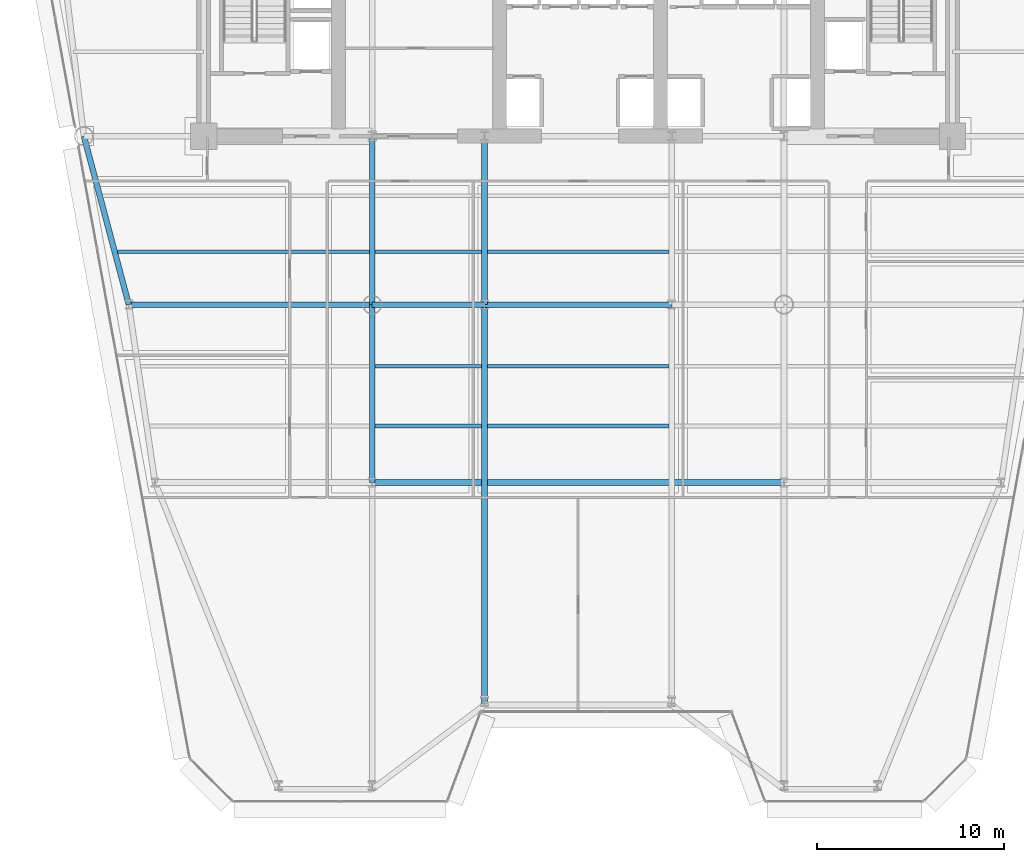
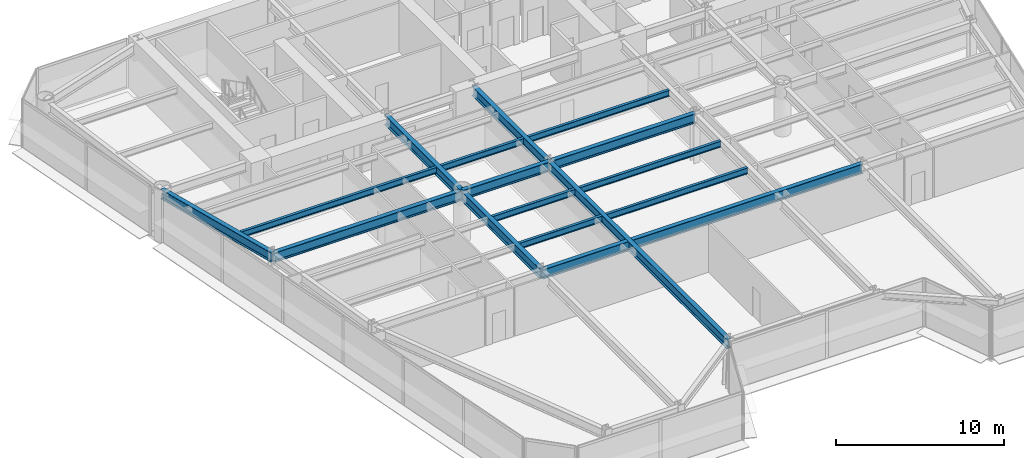
# One storey, part 3 of 14: 16 beams.
"""IFC4 building model written with IfcOpenShell, lengths in metres."""

from ifc_helpers import new_model, si_unit, direction, frame, origin, origin_2d, place, context, subcontext, project, spatial, i_section, extrude, source, transform, mapped, material, material_profile, profile_set, type_object, element, save


model = new_model("IFC4")

# Units and contexts
model_context = context("Model", 3, precision=1e-05, world=origin(), true_north=direction((0.0, 1.0)))
body_context = subcontext(model_context, "Body", "Model", "MODEL_VIEW")
ifc_project = project(units=[si_unit("LENGTHUNIT", "METRE"), si_unit("AREAUNIT", "SQUARE_METRE"), si_unit("VOLUMEUNIT", "CUBIC_METRE"), si_unit("PLANEANGLEUNIT", "RADIAN"), si_unit("MASSUNIT", "GRAM", prefix="KILO")], contexts=[model_context])

# Site, building, storey
site_placement = place(None, origin())
site = spatial("IfcSite", under=ifc_project, at=site_placement, CompositionType="ELEMENT")
building_placement = place(site_placement, origin())
building = spatial("IfcBuilding", under=site, at=building_placement, Name="Vaeldorn Concourse Tower", CompositionType="ELEMENT")
storey_placement = place(building_placement, frame((0.0, 0.0, 130.0)))
storey = spatial("IfcBuildingStorey", under=building, at=storey_placement, Name="L33", CompositionType="ELEMENT", Elevation=130.0)

# Beams
ifc_material = material(Name="Steel S355", Category="steel")
ifc_material_profile_1 = material_profile(ifc_material, i_section(OverallWidth=0.300048828125, OverallDepth=0.699951171875, WebThickness=0.01708984375, FlangeThickness=0.031982421875, FilletRadius=0.027099609375, at=origin_2d()), Name="HEB 700")
ifc_profile_set_1 = profile_set([ifc_material_profile_1], Name="Steel S355")
beam_type_1 = type_object("IfcBeamType", Name="BM-PG-HEB700", PredefinedType="BEAM", material=ifc_profile_set_1)
shared_shape_1 = source(origin(), body_context, "Body", "SweptSolid", [
    extrude(i_section(OverallWidth=0.300048828125, OverallDepth=0.699951171875, WebThickness=0.01708984375, FlangeThickness=0.031982421875, FilletRadius=0.027099609375, at=origin_2d()), origin(), (0.0, 0.0, 1.0), 6.0),
])
beam_1_placement = place(storey_placement, frame((23.0, 27.5, 3.22998046875), z_axis=(1.0, 0.0, 0.0), x_axis=(0.0, 1.0, 0.0)))
element("IfcBeam", 1, at=beam_1_placement, inside=storey, type_object=beam_type_1, Name="Beam BM-L33-C-TW1-C-TW2", PredefinedType="BEAM", context=body_context, shape_type="MappedRepresentation", body=[
    mapped(shared_shape_1, transform((0.0, 0.0, 0.0), scale=1.0)),
])
shared_shape_2 = source(origin(), body_context, "Body", "SweptSolid", [
    extrude(i_section(OverallWidth=0.300048828125, OverallDepth=0.699951171875, WebThickness=0.01708984375, FlangeThickness=0.031982421875, FilletRadius=0.027099609375, at=origin_2d()), origin(), (0.0, 0.0, 1.0), 10.0),
])
beam_2_placement = place(storey_placement, frame((29.0, 27.5, 3.22998046875), z_axis=(1.0, 0.0, 0.0), x_axis=(0.0, 1.0, 0.0)))
element("IfcBeam", 2, at=beam_2_placement, inside=storey, type_object=beam_type_1, Name="Beam BM-L33-C-TW2-C-TW3", PredefinedType="BEAM", context=body_context, shape_type="MappedRepresentation", body=[
    mapped(shared_shape_2, transform((0.0, 0.0, 0.0), scale=1.0)),
])
shared_shape_3 = source(origin(), body_context, "Body", "SweptSolid", [
    extrude(i_section(OverallWidth=0.300048828125, OverallDepth=0.699951171875, WebThickness=0.01708984375, FlangeThickness=0.031982421875, FilletRadius=0.027099609375, at=origin_2d()), origin(), (0.0, 0.0, 1.0), 9.0),
])
for number, where, z_axis, x_axis, name in (
    (3, (23.0, 27.5, 3.22998046875), (0.0, 1.0, 0.0), (-1.0, 0.0, 0.0), "Beam BM-L33-C-TW1-C-FC2"),
    (4, (29.0, 27.5, 3.22998046875), (0.0, 1.0, 0.0), (-1.0, 0.0, 0.0), "Beam BM-L33-C-TW2-C-FC3"),
):
    element("IfcBeam", number, at=place(storey_placement, frame(where, z_axis=z_axis, x_axis=x_axis)), inside=storey, type_object=beam_type_1, Name=name, PredefinedType="BEAM", context=body_context, shape_type="MappedRepresentation", body=[
        mapped(shared_shape_3, transform((0.0, 0.0, 0.0), scale=1.0)),
    ])
shared_shape_4 = source(origin(), body_context, "Body", "SweptSolid", [
    extrude(i_section(OverallWidth=0.300048828125, OverallDepth=0.699951171875, WebThickness=0.01708984375, FlangeThickness=0.031982421875, FilletRadius=0.027099609375, at=origin_2d()), origin(), (0.0, 0.0, 1.0), 9.314453125),
])
beam_3_placement = place(storey_placement, frame((7.60009765625, 36.5, 3.22998046875), z_axis=(0.257652862255, -0.966237549763, 0.0), x_axis=(0.966237549763, 0.257652862255, 0.0)))
element("IfcBeam", 5, at=beam_3_placement, inside=storey, type_object=beam_type_1, Name="Beam BM-L33-C-NW2-C-FLW1", PredefinedType="BEAM", context=body_context, shape_type="MappedRepresentation", body=[
    mapped(shared_shape_4, transform((0.0, 0.0, 0.0), scale=1.0)),
])
shared_shape_5 = source(origin(), body_context, "Body", "SweptSolid", [
    extrude(i_section(OverallWidth=0.300048828125, OverallDepth=0.699951171875, WebThickness=0.01708984375, FlangeThickness=0.031982421875, FilletRadius=0.027099609375, at=origin_2d()), origin(), (0.0, 0.0, 1.0), 13.0),
])
beam_4_placement = place(storey_placement, frame((10.0, 27.5, 3.22998046875), z_axis=(1.0, 0.0, 0.0), x_axis=(0.0, 1.0, 0.0)))
element("IfcBeam", 6, at=beam_4_placement, inside=storey, type_object=beam_type_1, Name="Beam BM-L33-C-FLW1-C-TW1", PredefinedType="BEAM", context=body_context, shape_type="MappedRepresentation", body=[
    mapped(shared_shape_5, transform((0.0, 0.0, 0.0), scale=1.0)),
])
shared_shape_6 = source(origin(), body_context, "Body", "SweptSolid", [
    extrude(i_section(OverallWidth=0.300048828125, OverallDepth=0.699951171875, WebThickness=0.01708984375, FlangeThickness=0.031982421875, FilletRadius=0.027099609375, at=origin_2d()), origin(), (0.0, 0.0, 1.0), 22.0),
])
beam_5_placement = place(storey_placement, frame((23.0, 18.0, 3.22998046875), z_axis=(1.0, 0.0, 0.0), x_axis=(0.0, 1.0, 0.0)))
element("IfcBeam", 7, at=beam_5_placement, inside=storey, type_object=beam_type_1, Name="Beam BM-L33-C-TW5-C-TW6", PredefinedType="BEAM", context=body_context, shape_type="MappedRepresentation", body=[
    mapped(shared_shape_6, transform((0.0, 0.0, 0.0), scale=1.0)),
])
shared_shape_7 = source(origin(), body_context, "Body", "SweptSolid", [
    extrude(i_section(OverallWidth=0.300048828125, OverallDepth=0.699951171875, WebThickness=0.01708984375, FlangeThickness=0.031982421875, FilletRadius=0.027099609375, at=origin_2d()), origin(), (0.0, 0.0, 1.0), 9.5),
])
beam_6_placement = place(storey_placement, frame((23.0, 18.0, 3.22998046875), z_axis=(0.0, 1.0, 0.0), x_axis=(-1.0, 0.0, 0.0)))
element("IfcBeam", 8, at=beam_6_placement, inside=storey, type_object=beam_type_1, Name="Beam BM-L33-C-TW5-C-TW1", PredefinedType="BEAM", context=body_context, shape_type="MappedRepresentation", body=[
    mapped(shared_shape_7, transform((0.0, 0.0, 0.0), scale=1.0)),
])
ifc_material_profile_2 = material_profile(ifc_material, i_section(OverallWidth=0.18994140625, OverallDepth=0.449951171875, WebThickness=0.009521484375, FlangeThickness=0.0146484375, FilletRadius=0.02099609375, at=origin_2d()), Name="IPE 450")
ifc_profile_set_2 = profile_set([ifc_material_profile_2], Name="Steel S355")
beam_type_2 = type_object("IfcBeamType", Name="BM-JS-IPE450", PredefinedType="JOIST", material=ifc_profile_set_2)
shared_shape_8 = source(origin(), body_context, "Body", "SweptSolid", [
    extrude(i_section(OverallWidth=0.18994140625, OverallDepth=0.449951171875, WebThickness=0.009521484375, FlangeThickness=0.0146484375, FilletRadius=0.02099609375, at=origin_2d()), origin(), (0.0, 0.0, 1.0), 5.7001953125),
])
for number, where, z_axis, x_axis, name in (
    (9, (23.14990234375, 21.02001953125, 3.35498046875), (1.0, 0.0, 0.0), (0.0, 1.0, 0.0), "Beam JS-L33-W2-210"),
    (10, (23.14990234375, 24.219970703125, 3.35498046875), (1.0, 0.0, 0.0), (0.0, 1.0, 0.0), "Beam JS-L33-W2-242"),
    (11, (23.14990234375, 30.320068359375, 3.35498046875), (1.0, 0.0, 0.0), (0.0, 1.0, 0.0), "Beam JS-L33-W2-303"),
):
    element("IfcBeam", number, at=place(storey_placement, frame(where, z_axis=z_axis, x_axis=x_axis)), inside=storey, type_object=beam_type_2, Name=name, PredefinedType="JOIST", context=body_context, shape_type="MappedRepresentation", body=[
        mapped(shared_shape_8, transform((0.0, 0.0, 0.0), scale=1.0)),
    ])
shared_shape_9 = source(origin(), body_context, "Body", "SweptSolid", [
    extrude(i_section(OverallWidth=0.18994140625, OverallDepth=0.449951171875, WebThickness=0.009521484375, FlangeThickness=0.0146484375, FilletRadius=0.02099609375, at=origin_2d()), origin(), (0.0, 0.0, 1.0), 9.7001953125),
])
for number, where, z_axis, x_axis, name in (
    (12, (29.14990234375, 21.02001953125, 3.35498046875), (1.0, 0.0, 0.0), (0.0, 1.0, 0.0), "Beam JS-L33-C-210"),
    (13, (29.14990234375, 24.219970703125, 3.35498046875), (1.0, 0.0, 0.0), (0.0, 1.0, 0.0), "Beam JS-L33-C-242"),
    (14, (29.14990234375, 30.320068359375, 3.35498046875), (1.0, 0.0, 0.0), (0.0, 1.0, 0.0), "Beam JS-L33-C-303"),
):
    element("IfcBeam", number, at=place(storey_placement, frame(where, z_axis=z_axis, x_axis=x_axis)), inside=storey, type_object=beam_type_2, Name=name, PredefinedType="JOIST", context=body_context, shape_type="MappedRepresentation", body=[
        mapped(shared_shape_9, transform((0.0, 0.0, 0.0), scale=1.0)),
    ])
shared_shape_10 = source(origin(), body_context, "Body", "SweptSolid", [
    extrude(i_section(OverallWidth=0.300048828125, OverallDepth=0.699951171875, WebThickness=0.01708984375, FlangeThickness=0.031982421875, FilletRadius=0.027099609375, at=origin_2d()), origin(), (0.0, 0.0, 1.0), 21.3828125),
])
beam_7_placement = place(storey_placement, frame((29.0, 6.1171875, 3.22998046875), z_axis=(0.0, 1.0, 0.0), x_axis=(-1.0, 0.0, 0.0)))
element("IfcBeam", 15, at=beam_7_placement, inside=storey, type_object=beam_type_1, Name="Beam BM-L33-C-SF3-C-TW2", PredefinedType="BEAM", context=body_context, shape_type="MappedRepresentation", body=[
    mapped(shared_shape_10, transform((0.0, 0.0, 0.0), scale=1.0)),
])
shared_shape_11 = source(origin(), body_context, "Body", "SweptSolid", [
    extrude(i_section(OverallWidth=0.18994140625, OverallDepth=0.449951171875, WebThickness=0.009521484375, FlangeThickness=0.0146484375, FilletRadius=0.02099609375, at=origin_2d()), origin(), (0.0, 0.0, 1.0), 13.4521484375),
])
beam_8_placement = place(storey_placement, frame((9.39794921875, 30.320068359375, 3.35498046875), z_axis=(1.0, 0.0, 0.0), x_axis=(0.0, 1.0, 0.0)))
element("IfcBeam", 16, at=beam_8_placement, inside=storey, type_object=beam_type_2, Name="Beam JS-L33-W1-303", PredefinedType="JOIST", context=body_context, shape_type="MappedRepresentation", body=[
    mapped(shared_shape_11, transform((0.0, 0.0, 0.0), scale=1.0)),
])

save(model, "model.ifc")
